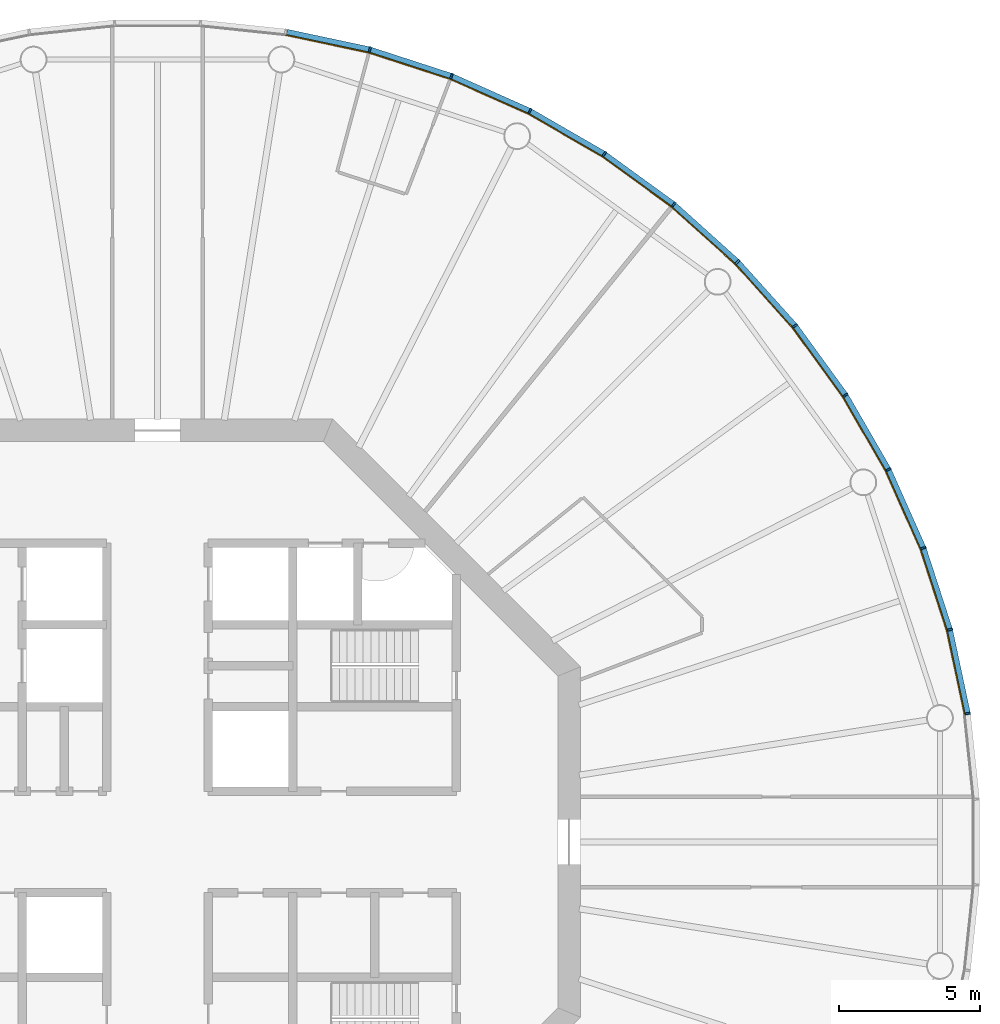
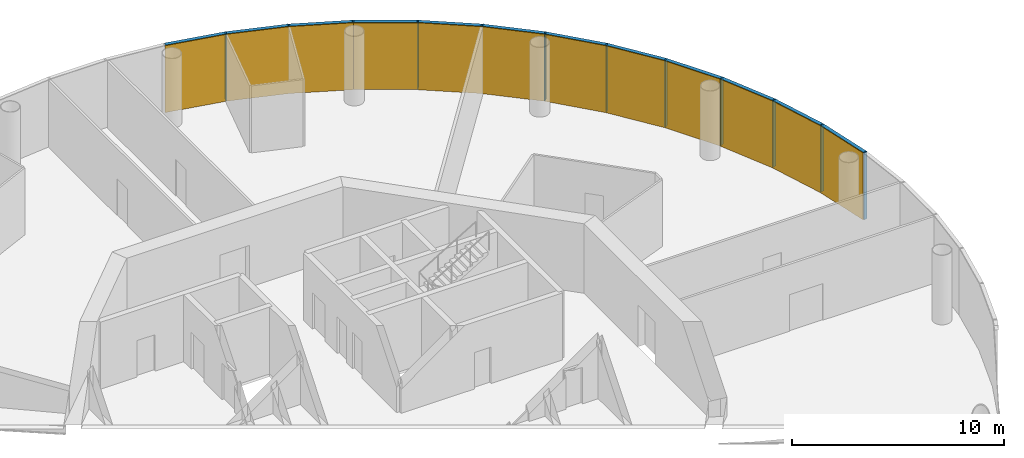
# One storey, part 12 of 13: 24 members, 4 curtain walls.
"""IFC4 building model written with IfcOpenShell, lengths in metres."""

from ifc_helpers import new_model, si_unit, direction, frame, origin, origin_2d, place, context, subcontext, project, spatial, polyline, rectangle, outline, extrude, material, layer, layer_set, material_profile, profile_set, type_object, element, aggregate, save


model = new_model("IFC4")

# Units and contexts
model_context = context("Model", 3, precision=1e-05, world=origin(), true_north=direction((0.0, 1.0)))
body_context = subcontext(model_context, "Body", "Model", "MODEL_VIEW")
ifc_project = project(units=[si_unit("LENGTHUNIT", "METRE"), si_unit("AREAUNIT", "SQUARE_METRE"), si_unit("VOLUMEUNIT", "CUBIC_METRE"), si_unit("PLANEANGLEUNIT", "RADIAN"), si_unit("MASSUNIT", "GRAM", prefix="KILO")], contexts=[model_context])

# Member
ifc_material_1 = material(Name="Anodised aluminium", Category="aluminium")
ifc_material_profile_1 = material_profile(ifc_material_1, rectangle(XDim=0.06494140625, YDim=0.195068359375, at=origin_2d()), Name="Mullion 65 x 195 mm anodised aluminium")
ifc_profile_set_1 = profile_set([ifc_material_profile_1], Name="Anodised aluminium")
member_type_1 = type_object("IfcMemberType", Name="Mullion 65 x 195 mm anodised aluminium", PredefinedType="MULLION", material=ifc_profile_set_1)
site_placement = place(None, origin())
building_placement = place(site_placement, origin())
storey_placement = place(building_placement, frame((0.0, 0.0, 282.0)))
member_1_placement = place(storey_placement, frame((118.7392578125, 84.5517578125, 0.0), z_axis=(0.0, 0.0, 1.0), x_axis=(-0.15643446504, 0.987688340595, 0.0)))
member_1 = element("IfcMember", 1, at=member_1_placement, type_object=member_type_1, Name="MULLION L64-00", PredefinedType="MULLION", context=body_context, shape_type="SweptSolid", body=[
    extrude(rectangle(XDim=0.06494140625, YDim=0.195068359375, at=origin_2d()), origin(), (0.0, 0.0, 1.0), 3.85009765625),
])

member_2_placement = place(storey_placement, frame((118.10595703125, 87.531005859375, 0.0), z_axis=(0.0, 0.0, 1.0), x_axis=(-0.258819045103, 0.965925826289, 0.0)))
member_2 = element("IfcMember", 2, at=member_2_placement, type_object=member_type_1, Name="MULLION L64-01", PredefinedType="MULLION", context=body_context, shape_type="SweptSolid", body=[
    extrude(rectangle(XDim=0.06494140625, YDim=0.195068359375, at=origin_2d()), origin(), (0.0, 0.0, 1.0), 3.85009765625),
])

member_3_placement = place(storey_placement, frame((117.164794921875, 90.427490234375, 0.0), z_axis=(0.0, 0.0, 1.0), x_axis=(-0.358367949545, 0.933580426497, 0.0)))
member_3 = element("IfcMember", 3, at=member_3_placement, type_object=member_type_1, Name="MULLION L64-02", PredefinedType="MULLION", context=body_context, shape_type="SweptSolid", body=[
    extrude(rectangle(XDim=0.06494140625, YDim=0.195068359375, at=origin_2d()), origin(), (0.0, 0.0, 1.0), 3.85009765625),
])

member_4_placement = place(storey_placement, frame((115.926025390625, 93.2099609375, 0.0), z_axis=(0.0, 0.0, 1.0), x_axis=(-0.45399049974, 0.891006524188, 0.0)))
member_4 = element("IfcMember", 4, at=member_4_placement, type_object=member_type_1, Name="MULLION L64-03", PredefinedType="MULLION", context=body_context, shape_type="SweptSolid", body=[
    extrude(rectangle(XDim=0.06494140625, YDim=0.195068359375, at=origin_2d()), origin(), (0.0, 0.0, 1.0), 3.85009765625),
])

member_5_placement = place(storey_placement, frame((114.4033203125, 95.84765625, 0.0), z_axis=(0.0, 0.0, 1.0), x_axis=(-0.544639035015, 0.838670567945, 0.0)))
member_5 = element("IfcMember", 5, at=member_5_placement, type_object=member_type_1, Name="MULLION L64-04", PredefinedType="MULLION", context=body_context, shape_type="SweptSolid", body=[
    extrude(rectangle(XDim=0.06494140625, YDim=0.195068359375, at=origin_2d()), origin(), (0.0, 0.0, 1.0), 3.85009765625),
])

member_6_placement = place(storey_placement, frame((112.613037109375, 98.311767578125, 0.0), z_axis=(0.0, 0.0, 1.0), x_axis=(-0.62932039105, 0.777145961457, 0.0)))
member_6 = element("IfcMember", 6, at=member_6_placement, type_object=member_type_1, Name="MULLION L64-05", PredefinedType="MULLION", context=body_context, shape_type="SweptSolid", body=[
    extrude(rectangle(XDim=0.06494140625, YDim=0.195068359375, at=origin_2d()), origin(), (0.0, 0.0, 1.0), 3.85009765625),
])

member_7_placement = place(storey_placement, frame((110.574951171875, 100.574951171875, 0.0), z_axis=(0.0, 0.0, 1.0), x_axis=(-0.707106781187, 0.707106781187, 0.0)))
member_7 = element("IfcMember", 7, at=member_7_placement, type_object=member_type_1, Name="MULLION L64-06", PredefinedType="MULLION", context=body_context, shape_type="SweptSolid", body=[
    extrude(rectangle(XDim=0.06494140625, YDim=0.195068359375, at=origin_2d()), origin(), (0.0, 0.0, 1.0), 3.85009765625),
])

member_8_placement = place(storey_placement, frame((108.311767578125, 102.613037109375, 0.0), z_axis=(0.0, 0.0, 1.0), x_axis=(-0.777145961457, 0.62932039105, 0.0)))
member_8 = element("IfcMember", 8, at=member_8_placement, type_object=member_type_1, Name="MULLION L64-07", PredefinedType="MULLION", context=body_context, shape_type="SweptSolid", body=[
    extrude(rectangle(XDim=0.06494140625, YDim=0.195068359375, at=origin_2d()), origin(), (0.0, 0.0, 1.0), 3.85009765625),
])

member_9_placement = place(storey_placement, frame((105.84765625, 104.4033203125, 0.0), z_axis=(0.0, 0.0, 1.0), x_axis=(-0.838670567945, 0.544639035015, 0.0)))
member_9 = element("IfcMember", 9, at=member_9_placement, type_object=member_type_1, Name="MULLION L64-08", PredefinedType="MULLION", context=body_context, shape_type="SweptSolid", body=[
    extrude(rectangle(XDim=0.06494140625, YDim=0.195068359375, at=origin_2d()), origin(), (0.0, 0.0, 1.0), 3.85009765625),
])

member_10_placement = place(storey_placement, frame((103.2099609375, 105.926025390625, 0.0), z_axis=(0.0, 0.0, 1.0), x_axis=(-0.891006524188, 0.45399049974, 0.0)))
member_10 = element("IfcMember", 10, at=member_10_placement, type_object=member_type_1, Name="MULLION L64-09", PredefinedType="MULLION", context=body_context, shape_type="SweptSolid", body=[
    extrude(rectangle(XDim=0.06494140625, YDim=0.195068359375, at=origin_2d()), origin(), (0.0, 0.0, 1.0), 3.85009765625),
])

member_11_placement = place(storey_placement, frame((100.427490234375, 107.164794921875, 0.0), z_axis=(0.0, 0.0, 1.0), x_axis=(-0.933580426497, 0.358367949545, 0.0)))
member_11 = element("IfcMember", 11, at=member_11_placement, type_object=member_type_1, Name="MULLION L64-10", PredefinedType="MULLION", context=body_context, shape_type="SweptSolid", body=[
    extrude(rectangle(XDim=0.06494140625, YDim=0.195068359375, at=origin_2d()), origin(), (0.0, 0.0, 1.0), 3.85009765625),
])

member_12_placement = place(storey_placement, frame((97.531005859375, 108.10595703125, 0.0), z_axis=(0.0, 0.0, 1.0), x_axis=(-0.965925826289, 0.258819045103, 0.0)))
member_12 = element("IfcMember", 12, at=member_12_placement, type_object=member_type_1, Name="MULLION L64-11", PredefinedType="MULLION", context=body_context, shape_type="SweptSolid", body=[
    extrude(rectangle(XDim=0.06494140625, YDim=0.195068359375, at=origin_2d()), origin(), (0.0, 0.0, 1.0), 3.85009765625),
])

ifc_material_2 = material(Name="Anodised aluminium", Category="aluminium")
ifc_material_profile_2 = material_profile(ifc_material_2, rectangle(XDim=0.195068359375, YDim=0.179931640625, at=origin_2d()), Name="Transom 180 x 195 mm anodised aluminium")
ifc_profile_set_2 = profile_set([ifc_material_profile_2], Name="Anodised aluminium")
member_type_2 = type_object("IfcMemberType", Name="Transom 180 x 195 mm anodised aluminium", PredefinedType="USERDEFINED", material=ifc_profile_set_2)
member_13_placement = place(storey_placement, frame((118.731689453125, 84.588623046875, 3.760009765625), z_axis=(-0.207940342877, 0.978141510112, 0.0), x_axis=(-0.978141510112, -0.207940342877, 0.0)))
member_13 = element("IfcMember", 13, at=member_13_placement, type_object=member_type_2, Name="TRANSOM L64-00", ObjectType="TRANSOM", PredefinedType="USERDEFINED", context=body_context, shape_type="SweptSolid", body=[
    extrude(rectangle(XDim=0.195068359375, YDim=0.179931640625, at=origin_2d()), origin(), (0.0, 0.0, 1.0), 2.970458984375),
])

member_14_placement = place(storey_placement, frame((118.094482421875, 87.56689453125, 3.760009765625), z_axis=(-0.309043326415, 0.951047960094, 0.0), x_axis=(-0.951047960094, -0.309043326415, 0.0)))
member_14 = element("IfcMember", 14, at=member_14_placement, type_object=member_type_2, Name="TRANSOM L64-01", ObjectType="TRANSOM", PredefinedType="USERDEFINED", context=body_context, shape_type="SweptSolid", body=[
    extrude(rectangle(XDim=0.195068359375, YDim=0.179931640625, at=origin_2d()), origin(), (0.0, 0.0, 1.0), 2.970458984375),
])

member_15_placement = place(storey_placement, frame((117.149658203125, 90.4619140625, 3.760009765625), z_axis=(-0.406725527369, 0.913550406593, 0.0), x_axis=(-0.913550406593, -0.406725527369, 0.0)))
member_15 = element("IfcMember", 15, at=member_15_placement, type_object=member_type_2, Name="TRANSOM L64-02", ObjectType="TRANSOM", PredefinedType="USERDEFINED", context=body_context, shape_type="SweptSolid", body=[
    extrude(rectangle(XDim=0.195068359375, YDim=0.179931640625, at=origin_2d()), origin(), (0.0, 0.0, 1.0), 2.970703125),
])

member_16_placement = place(storey_placement, frame((115.907470703125, 93.24267578125, 3.760009765625), z_axis=(-0.500028367561, 0.866009025146, 0.0), x_axis=(-0.866009025146, -0.500028367561, 0.0)))
member_16 = element("IfcMember", 16, at=member_16_placement, type_object=member_type_2, Name="TRANSOM L64-03", ObjectType="TRANSOM", PredefinedType="USERDEFINED", context=body_context, shape_type="SweptSolid", body=[
    extrude(rectangle(XDim=0.195068359375, YDim=0.179931640625, at=origin_2d()), origin(), (0.0, 0.0, 1.0), 2.970458984375),
])

member_17_placement = place(storey_placement, frame((114.381103515625, 95.878173828125, 3.760009765625), z_axis=(-0.587765987476, 0.809030990733, 0.0), x_axis=(-0.809030990733, -0.587765987476, 0.0)))
member_17 = element("IfcMember", 17, at=member_17_placement, type_object=member_type_2, Name="TRANSOM L64-04", ObjectType="TRANSOM", PredefinedType="USERDEFINED", context=body_context, shape_type="SweptSolid", body=[
    extrude(rectangle(XDim=0.195068359375, YDim=0.179931640625, at=origin_2d()), origin(), (0.0, 0.0, 1.0), 2.97021484375),
])

member_18_placement = place(storey_placement, frame((112.587890625, 98.339599609375, 3.760009765625), z_axis=(-0.669110027395, 0.743163354343, 0.0), x_axis=(-0.743163354343, -0.669110027395, 0.0)))
member_18 = element("IfcMember", 18, at=member_18_placement, type_object=member_type_2, Name="TRANSOM L64-05", ObjectType="TRANSOM", PredefinedType="USERDEFINED", context=body_context, shape_type="SweptSolid", body=[
    extrude(rectangle(XDim=0.195068359375, YDim=0.179931640625, at=origin_2d()), origin(), (0.0, 0.0, 1.0), 2.970458984375),
])

member_19_placement = place(storey_placement, frame((110.547119140625, 100.600341796875, 3.760009765625), z_axis=(-0.743163354343, 0.669110027395, 0.0), x_axis=(-0.669110027395, -0.743163354343, 0.0)))
member_19 = element("IfcMember", 19, at=member_19_placement, type_object=member_type_2, Name="TRANSOM L64-06", ObjectType="TRANSOM", PredefinedType="USERDEFINED", context=body_context, shape_type="SweptSolid", body=[
    extrude(rectangle(XDim=0.195068359375, YDim=0.179931640625, at=origin_2d()), origin(), (0.0, 0.0, 1.0), 2.970458984375),
])

member_20_placement = place(storey_placement, frame((108.28125, 102.63525390625, 3.760009765625), z_axis=(-0.809030990733, 0.587765987476, 0.0), x_axis=(-0.587765987476, -0.809030990733, 0.0)))
member_20 = element("IfcMember", 20, at=member_20_placement, type_object=member_type_2, Name="TRANSOM L64-07", ObjectType="TRANSOM", PredefinedType="USERDEFINED", context=body_context, shape_type="SweptSolid", body=[
    extrude(rectangle(XDim=0.195068359375, YDim=0.179931640625, at=origin_2d()), origin(), (0.0, 0.0, 1.0), 2.97021484375),
])

member_21_placement = place(storey_placement, frame((105.815185546875, 104.422119140625, 3.760009765625), z_axis=(-0.866009025146, 0.500028367561, 0.0), x_axis=(-0.500028367561, -0.866009025146, 0.0)))
member_21 = element("IfcMember", 21, at=member_21_placement, type_object=member_type_2, Name="TRANSOM L64-08", ObjectType="TRANSOM", PredefinedType="USERDEFINED", context=body_context, shape_type="SweptSolid", body=[
    extrude(rectangle(XDim=0.195068359375, YDim=0.179931640625, at=origin_2d()), origin(), (0.0, 0.0, 1.0), 2.970458984375),
])

member_22_placement = place(storey_placement, frame((103.17578125, 105.94140625, 3.760009765625), z_axis=(-0.913550406593, 0.406725527369, 0.0), x_axis=(-0.406725527369, -0.913550406593, 0.0)))
member_22 = element("IfcMember", 22, at=member_22_placement, type_object=member_type_2, Name="TRANSOM L64-09", ObjectType="TRANSOM", PredefinedType="USERDEFINED", context=body_context, shape_type="SweptSolid", body=[
    extrude(rectangle(XDim=0.195068359375, YDim=0.179931640625, at=origin_2d()), origin(), (0.0, 0.0, 1.0), 2.970703125),
])

member_23_placement = place(storey_placement, frame((100.391845703125, 107.176513671875, 3.760009765625), z_axis=(-0.951047960094, 0.309043326415, 0.0), x_axis=(-0.309043326415, -0.951047960094, 0.0)))
member_23 = element("IfcMember", 23, at=member_23_placement, type_object=member_type_2, Name="TRANSOM L64-10", ObjectType="TRANSOM", PredefinedType="USERDEFINED", context=body_context, shape_type="SweptSolid", body=[
    extrude(rectangle(XDim=0.195068359375, YDim=0.179931640625, at=origin_2d()), origin(), (0.0, 0.0, 1.0), 2.970458984375),
])

member_24_placement = place(storey_placement, frame((97.494140625, 108.114013671875, 3.760009765625), z_axis=(-0.978141510112, 0.207940342877, 0.0), x_axis=(-0.207940342877, -0.978141510112, 0.0)))
member_24 = element("IfcMember", 24, at=member_24_placement, type_object=member_type_2, Name="TRANSOM L64-11", ObjectType="TRANSOM", PredefinedType="USERDEFINED", context=body_context, shape_type="SweptSolid", body=[
    extrude(rectangle(XDim=0.195068359375, YDim=0.179931640625, at=origin_2d()), origin(), (0.0, 0.0, 1.0), 2.970458984375),
])

# Site, building, storey
site = spatial("IfcSite", under=ifc_project, at=site_placement, CompositionType="ELEMENT")
building = spatial("IfcBuilding", under=site, at=building_placement, Name="Entoto Ring Tower", CompositionType="ELEMENT")
storey = spatial("IfcBuildingStorey", under=building, at=storey_placement, Name="L64", CompositionType="ELEMENT", Elevation=282.0)

# Curtain wall
ifc_material_3 = material(Name="Clear low-iron glass", Category="glass")
ifc_layer = layer(ifc_material_3, 0.033935546875)
ifc_layer_set = layer_set([ifc_layer], Name="Clear low-iron glass")
curtain_wall_type = type_object("IfcCurtainWallType", Name="Curtain wall system CW5 glazing 34 mm", PredefinedType="NOTDEFINED", material=ifc_layer_set)
curtain_wall_1_placement = place(storey_placement, origin())
curtain_wall_1 = element("IfcCurtainWall", 25, at=curtain_wall_1_placement, inside=storey, type_object=curtain_wall_type, Name="CW5 L64-01", PredefinedType="NOTDEFINED", context=body_context, shape_type="SweptSolid", body=[
    extrude(outline(polyline([(118.64306640625, 84.53662109375), (118.011962890625, 87.505859375), (117.07373046875, 90.392578125), (115.839111328125, 93.165771484375), (115.808837890625, 93.150146484375), (117.0419921875, 90.38037109375), (117.97900390625, 87.496826171875), (118.609375, 84.53125), (118.64306640625, 84.53662109375)])), origin(), (0.0, 0.0, 1.0), 3.85009765625),
])

aggregate(curtain_wall_1, [member_1, member_2, member_3, member_13, member_14, member_15])

curtain_wall_2_placement = place(storey_placement, origin())
curtain_wall_2 = element("IfcCurtainWall", 26, at=curtain_wall_2_placement, inside=storey, type_object=curtain_wall_type, Name="CW5 L64-02", PredefinedType="NOTDEFINED", context=body_context, shape_type="SweptSolid", body=[
    extrude(outline(polyline([(115.839111328125, 93.165771484375), (114.321533203125, 95.79443359375), (112.537353515625, 98.250244140625), (110.506103515625, 100.506103515625), (110.48193359375, 100.48193359375), (112.5107421875, 98.228759765625), (114.29296875, 95.77587890625), (115.808837890625, 93.150146484375), (115.839111328125, 93.165771484375)])), origin(), (0.0, 0.0, 1.0), 3.85009765625),
])

aggregate(curtain_wall_2, [member_4, member_5, member_6, member_16, member_17, member_18])

curtain_wall_3_placement = place(storey_placement, origin())
curtain_wall_3 = element("IfcCurtainWall", 27, at=curtain_wall_3_placement, inside=storey, type_object=curtain_wall_type, Name="CW5 L64-03", PredefinedType="NOTDEFINED", context=body_context, shape_type="SweptSolid", body=[
    extrude(outline(polyline([(110.506103515625, 100.506103515625), (108.250244140625, 102.537353515625), (105.79443359375, 104.321533203125), (103.165771484375, 105.839111328125), (103.150146484375, 105.808837890625), (105.77587890625, 104.29296875), (108.228759765625, 102.5107421875), (110.48193359375, 100.48193359375), (110.506103515625, 100.506103515625)])), origin(), (0.0, 0.0, 1.0), 3.85009765625),
])

aggregate(curtain_wall_3, [member_7, member_8, member_9, member_19, member_20, member_21])

curtain_wall_4_placement = place(storey_placement, origin())
curtain_wall_4 = element("IfcCurtainWall", 28, at=curtain_wall_4_placement, inside=storey, type_object=curtain_wall_type, Name="CW5 L64-04", PredefinedType="NOTDEFINED", context=body_context, shape_type="SweptSolid", body=[
    extrude(outline(polyline([(103.165771484375, 105.839111328125), (100.392578125, 107.07373046875), (97.505859375, 108.011962890625), (94.53662109375, 108.64306640625), (94.53125, 108.609375), (97.496826171875, 107.97900390625), (100.38037109375, 107.0419921875), (103.150146484375, 105.808837890625), (103.165771484375, 105.839111328125)])), origin(), (0.0, 0.0, 1.0), 3.85009765625),
])

aggregate(curtain_wall_4, [member_10, member_11, member_12, member_22, member_23, member_24])

save(model, "model.ifc")
